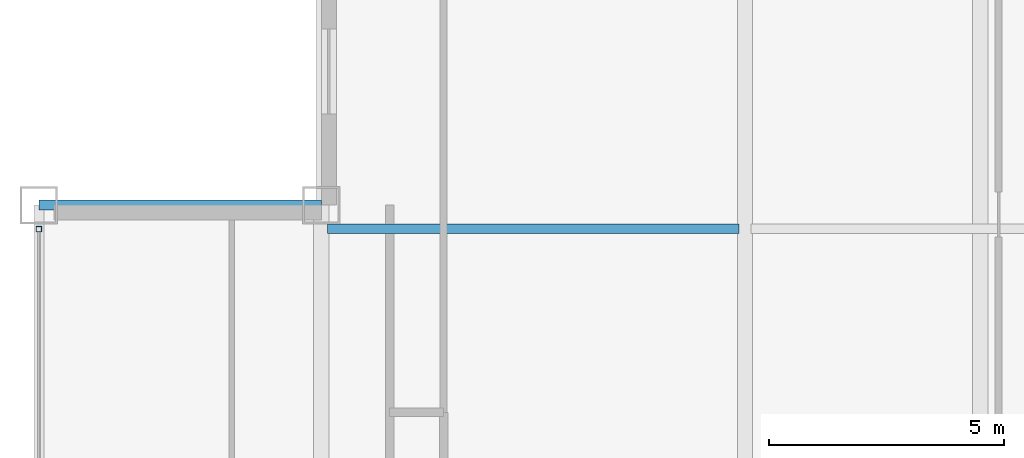
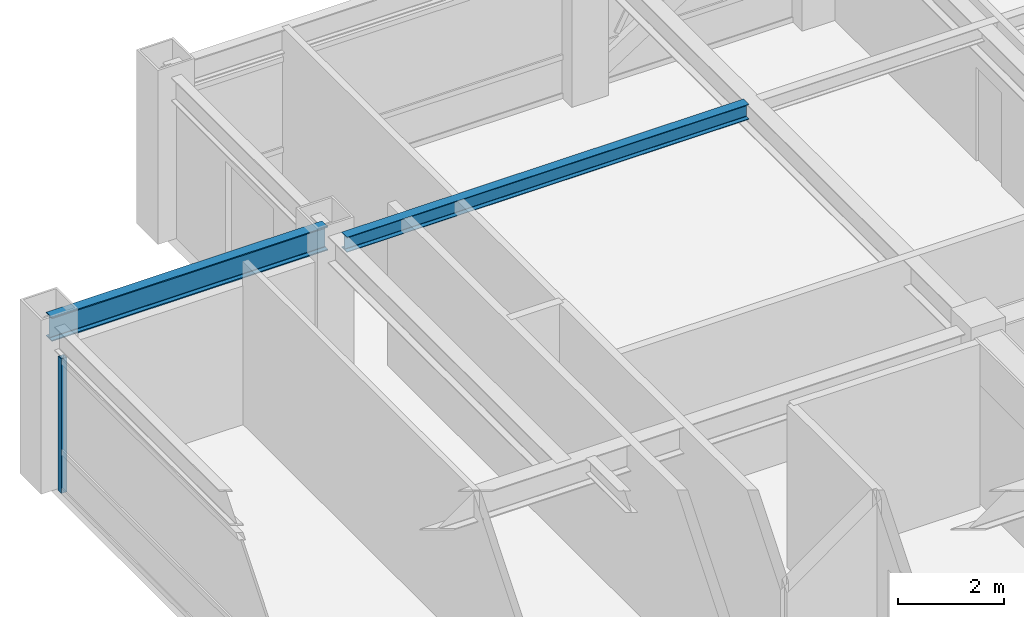
# One storey, part 14 of 28: 2 beams, 1 member, 1 element without a shape of its own.
"""IFC4 building model written with IfcOpenShell, lengths in metres."""

from ifc_helpers import new_model, si_unit, direction, frame, origin, origin_2d, place, context, subcontext, project, spatial, hollow_rectangle, i_section, extrude, source, transform, mapped, material, material_profile, profile_set, type_object, element, aggregate, save


model = new_model("IFC4")

# Units and contexts
model_context = context("Model", 3, precision=1e-05, world=origin(), true_north=direction((0.0, 1.0)))
body_context = subcontext(model_context, "Body", "Model", "MODEL_VIEW")
ifc_project = project(units=[si_unit("LENGTHUNIT", "METRE"), si_unit("AREAUNIT", "SQUARE_METRE"), si_unit("VOLUMEUNIT", "CUBIC_METRE"), si_unit("PLANEANGLEUNIT", "RADIAN"), si_unit("MASSUNIT", "GRAM", prefix="KILO")], contexts=[model_context])

# Site, building, storey
site_placement = place(None, origin())
site = spatial("IfcSite", under=ifc_project, at=site_placement, CompositionType="ELEMENT")
building_placement = place(site_placement, origin())
building = spatial("IfcBuilding", under=site, at=building_placement, Name="Khorayat Bourse Tower", CompositionType="ELEMENT")
storey_placement = place(building_placement, frame((0.0, 0.0, 330.300048828125)))
storey = spatial("IfcBuildingStorey", under=building, at=storey_placement, Name="L78", CompositionType="ELEMENT", Elevation=330.300048828125)

# Beams
ifc_material_1 = material(Name="Steel ASTM A992 Grade 50", Category="steel")
ifc_material_profile_1 = material_profile(ifc_material_1, i_section(OverallWidth=0.214111328125, OverallDepth=0.549072265625, WebThickness=0.0146484375, FlangeThickness=0.023681640625, FilletRadius=0.013916015625, at=origin_2d()), Name="W530X138")
ifc_profile_set_1 = profile_set([ifc_material_profile_1], Name="Steel ASTM A992 Grade 50")
beam_type_1 = type_object("IfcBeamType", Name="BM-SPAN-530", PredefinedType="SPANDREL", material=ifc_profile_set_1)
shared_shape_1 = source(origin(), body_context, "Body", "SweptSolid", [
    extrude(i_section(OverallWidth=0.214111328125, OverallDepth=0.549072265625, WebThickness=0.0146484375, FlangeThickness=0.023681640625, FilletRadius=0.013916015625, at=origin_2d()), origin(), (0.0, 0.0, 1.0), 6.0),
])
beam_1_placement = place(storey_placement, frame((-26.0, 20.0, 3.46533203125), z_axis=(1.0, 0.0, 0.0), x_axis=(0.0, 1.0, 0.0)))
element("IfcBeam", 1, at=beam_1_placement, inside=storey, type_object=beam_type_1, Name="L78 BM-SPAN-530 BM-L78-SPN-047", PredefinedType="SPANDREL", context=body_context, shape_type="MappedRepresentation", body=[
    mapped(shared_shape_1, transform((0.0, 0.0, 0.0), scale=1.0)),
])
ifc_material_profile_2 = material_profile(ifc_material_1, i_section(OverallWidth=0.202880859375, OverallDepth=0.346923828125, WebThickness=0.0078125, FlangeThickness=0.013427734375, FilletRadius=0.010009765625, at=origin_2d()), Name="W360X64")
ifc_profile_set_2 = profile_set([ifc_material_profile_2], Name="Steel ASTM A992 Grade 50")
beam_type_2 = type_object("IfcBeamType", Name="BM-JOIST-360", PredefinedType="JOIST", material=ifc_profile_set_2)
shared_shape_2 = source(origin(), body_context, "Body", "SweptSolid", [
    extrude(i_section(OverallWidth=0.202880859375, OverallDepth=0.346923828125, WebThickness=0.0078125, FlangeThickness=0.013427734375, FilletRadius=0.010009765625, at=origin_2d()), origin(), (0.0, 0.0, 1.0), 8.740234375),
])
beam_2_placement = place(storey_placement, frame((-19.8701171875, 19.5, 3.56640625), z_axis=(1.0, 0.0, 0.0), x_axis=(0.0, 1.0, 0.0)))
element("IfcBeam", 2, at=beam_2_placement, inside=storey, type_object=beam_type_2, Name="L78 BM-JOIST-360 BM-L78-JSTX-083", PredefinedType="JOIST", context=body_context, shape_type="MappedRepresentation", body=[
    mapped(shared_shape_2, transform((0.0, 0.0, 0.0), scale=1.0)),
])

# Curtain wall, member
ifc_material_2 = material(Name="Aluminium EN AW-6063 T6", Category="aluminium")
curtain_wall_type = type_object("IfcCurtainWallType", Name="CW-SYS-04", PredefinedType="NOTDEFINED", material=ifc_material_2)
curtain_wall_placement = place(storey_placement, origin())
curtain_wall = element("IfcCurtainWall", 3, at=curtain_wall_placement, inside=storey, type_object=curtain_wall_type, Name="L78 Curtain Wall CW-L78-W1", PredefinedType="NOTDEFINED")
ifc_material_profile_3 = material_profile(ifc_material_2, hollow_rectangle(XDim=0.1201171875, YDim=0.1201171875, WallThickness=0.0048828125, at=origin_2d()), Name="ALU 120x120x5")
ifc_profile_set_3 = profile_set([ifc_material_profile_3], Name="Aluminium EN AW-6063 T6")
member_type = type_object("IfcMemberType", Name="CWM-VERT-120", PredefinedType="MULLION", material=ifc_profile_set_3)
shared_shape_3 = source(origin(), body_context, "Body", "SweptSolid", [
    extrude(hollow_rectangle(XDim=0.1201171875, YDim=0.1201171875, WallThickness=0.0048828125, at=origin_2d()), origin(), (0.0, 0.0, 1.0), 3.08984375),
])
member_placement = place(storey_placement, frame((-26.0, 19.489990234375, 0.0), z_axis=(0.0, 0.0, 1.0), x_axis=(-1.0, 0.0, 0.0)))
member = element("IfcMember", 4, at=member_placement, type_object=member_type, Name="CW-L78-W1 Vertical Mullion 3", PredefinedType="MULLION", context=body_context, shape_type="MappedRepresentation", body=[
    mapped(shared_shape_3, transform((0.0, 0.0, 0.0), scale=1.0)),
])
aggregate(curtain_wall, [member])

save(model, "model.ifc")
